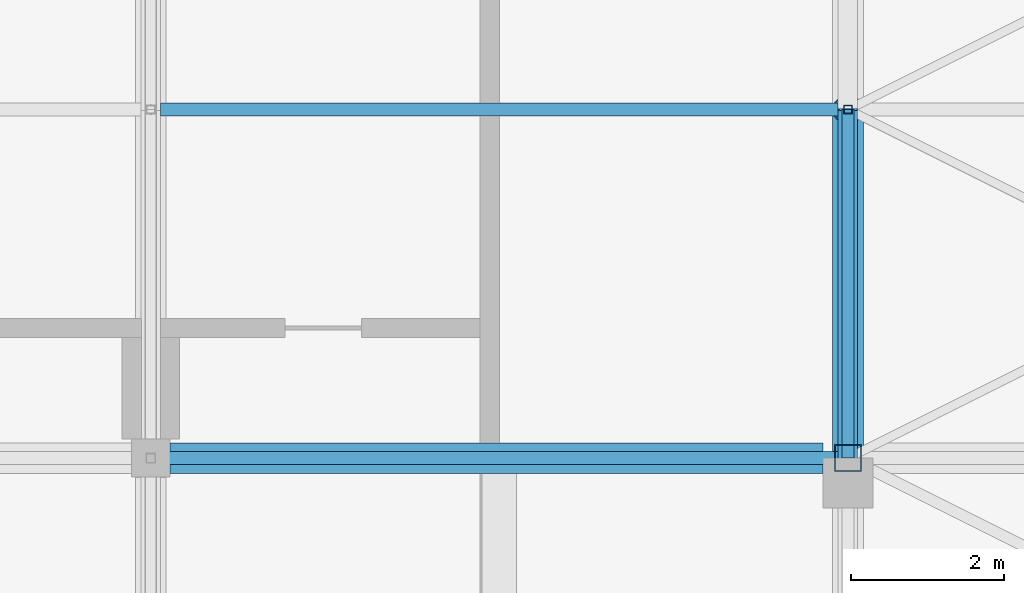
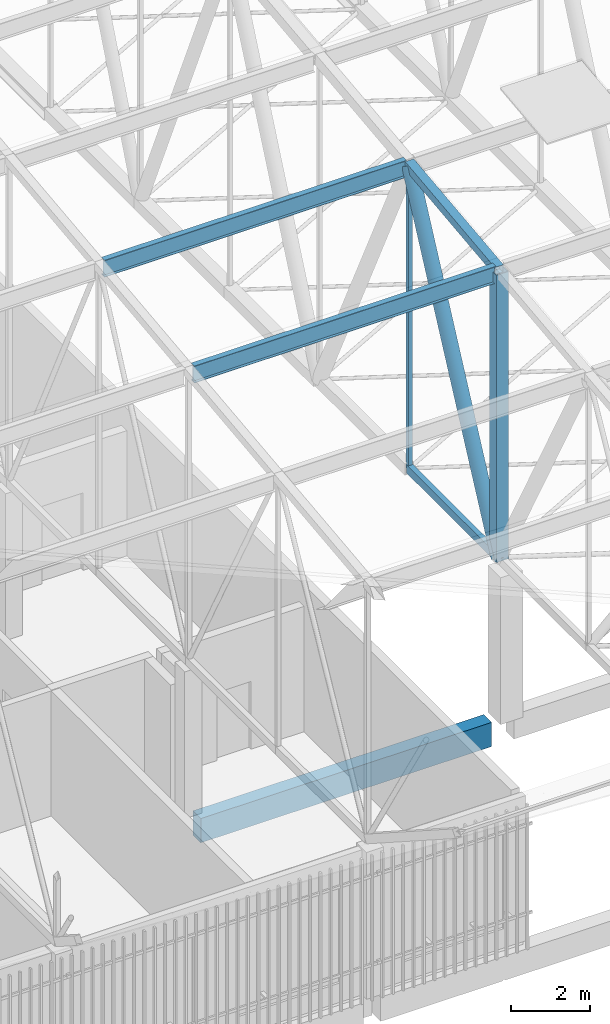
# One storey, part 45 of 500: 7 members, 1 beam.
"""IFC4 building model written with IfcOpenShell, lengths in metres."""

from ifc_helpers import new_model, si_unit, direction, frame, origin, origin_2d, place, context, subcontext, project, spatial, rectangle, hollow_rectangle, hollow_circle, i_section, extrude, material, material_profile, profile_set, type_object, element, save


model = new_model("IFC4")

# Units and contexts
model_context = context("Model", 3, precision=1e-05, world=origin(), true_north=direction((0.0, 1.0)))
body_context = subcontext(model_context, "Body", "Model", "MODEL_VIEW")
ifc_project = project(units=[si_unit("LENGTHUNIT", "METRE"), si_unit("AREAUNIT", "SQUARE_METRE"), si_unit("VOLUMEUNIT", "CUBIC_METRE"), si_unit("PLANEANGLEUNIT", "RADIAN"), si_unit("MASSUNIT", "GRAM", prefix="KILO")], contexts=[model_context])

# Site, building, storey
site_placement = place(None, origin())
site = spatial("IfcSite", under=ifc_project, at=site_placement, CompositionType="ELEMENT")
building_placement = place(site_placement, origin())
building = spatial("IfcBuilding", under=site, at=building_placement, Name="Shirokan Park Arena", CompositionType="ELEMENT")
storey_placement = place(building_placement, frame((0.0, 0.0, 29.1201171875)))
storey = spatial("IfcBuildingStorey", under=building, at=storey_placement, Name="L06", CompositionType="ELEMENT", Elevation=29.1201171875)

# Members
ifc_material_1 = material(Name="Steel ASTM A500 Grade C", Category="steel")
ifc_material_profile_1 = material_profile(ifc_material_1, hollow_rectangle(XDim=0.152099609375, YDim=0.25390625, WallThickness=0.015869140625, at=origin_2d()), Name="HSS254X152.4X15.9")
ifc_profile_set_1 = profile_set([ifc_material_profile_1], Name="Steel ASTM A500 Grade C")
member_type_1 = type_object("IfcMemberType", Name="Bottom chord HSS254X152.4X15.9", PredefinedType="CHORD", material=ifc_profile_set_1)
member_1_placement = place(storey_placement, frame((45.5, 9.10009765625, 4.677001953125), z_axis=(0.0, 1.0, 0.0), x_axis=(-1.0, 0.0, 0.0)))
element("IfcMember", 1, at=member_1_placement, inside=storey, type_object=member_type_1, Name="Truss T06 bottom chord 5", PredefinedType="CHORD", context=body_context, shape_type="SweptSolid", body=[
    extrude(hollow_rectangle(XDim=0.152099609375, YDim=0.25390625, WallThickness=0.015869140625, at=origin_2d()), origin(), (0.0, 0.0, 1.0), 4.5498046875),
])
ifc_material_2 = material(Name="Steel ASTM A992", Category="steel")
ifc_material_profile_2 = material_profile(ifc_material_2, i_section(OverallWidth=0.166015625, OverallDepth=0.528076171875, WebThickness=0.009765625, FlangeThickness=0.013671875, at=origin_2d()), Name="W530X74")
ifc_profile_set_2 = profile_set([ifc_material_profile_2], Name="Steel ASTM A992")
member_type_2 = type_object("IfcMemberType", Name="Purlin W530X74", PredefinedType="PURLIN", material=ifc_profile_set_2)
for number, where, z_axis, x_axis, name in (
    (2, (36.527099609375, 9.10009765625, 13.52587890625), (1.0, 0.0, 0.0), (0.0, 1.0, 0.0), "Purlin 5 bay 5"),
    (3, (36.527099609375, 13.64990234375, 14.0458984375), (1.0, 0.0, 0.0), (0.0, 1.0, 0.0), "Purlin 6 bay 5"),
):
    element("IfcMember", number, at=place(storey_placement, frame(where, z_axis=z_axis, x_axis=x_axis)), inside=storey, type_object=member_type_2, Name=name, PredefinedType="PURLIN", context=body_context, shape_type="SweptSolid", body=[
        extrude(i_section(OverallWidth=0.166015625, OverallDepth=0.528076171875, WebThickness=0.009765625, FlangeThickness=0.013671875, at=origin_2d()), origin(), (0.0, 0.0, 1.0), 8.845947265625),
    ])

# Beam
ifc_material_3 = material(Name="Concrete C35", Category="concrete")
ifc_material_profile_3 = material_profile(ifc_material_3, rectangle(XDim=0.39990234375, YDim=0.75, at=origin_2d()), Name="400x750")
ifc_profile_set_3 = profile_set([ifc_material_profile_3], Name="Concrete C35")
beam_type = type_object("IfcBeamType", Name="RC girder 400x750", PredefinedType="BEAM", material=ifc_profile_set_3)
beam_placement = place(storey_placement, frame((36.650146484375, 9.10009765625, -0.5751953125), z_axis=(1.0, 0.0, 0.0), x_axis=(0.0, 1.0, 0.0)))
element("IfcBeam", 4, at=beam_placement, inside=storey, type_object=beam_type, Name="Girder 5B-6B L06", PredefinedType="BEAM", context=body_context, shape_type="SweptSolid", body=[
    extrude(rectangle(XDim=0.39990234375, YDim=0.75, at=origin_2d()), origin(), (0.0, 0.0, 1.0), 8.524658203125),
])

# Members
ifc_material_profile_4 = material_profile(ifc_material_1, hollow_rectangle(XDim=0.25390625, YDim=0.25390625, WallThickness=0.009521484375, at=origin_2d()), Name="HSS254X254X9.5")
ifc_profile_set_4 = profile_set([ifc_material_profile_4], Name="Steel ASTM A500 Grade C")
member_type_3 = type_object("IfcMemberType", Name="Top chord HSS254X254X9.5", PredefinedType="CHORD", material=ifc_profile_set_4)
member_2_placement = place(storey_placement, frame((45.5, 9.10009765625, 13.581298828125), z_axis=(0.0, 0.993531641592, 0.11355561261), x_axis=(-1.0, 0.0, 0.0)))
element("IfcMember", 5, at=member_2_placement, inside=storey, type_object=member_type_3, Name="Truss T06 top chord 5", PredefinedType="CHORD", context=body_context, shape_type="SweptSolid", body=[
    extrude(hollow_rectangle(XDim=0.25390625, YDim=0.25390625, WallThickness=0.009521484375, at=origin_2d()), origin(), (0.0, 0.0, 1.0), 4.579345703125),
])
ifc_material_profile_5 = material_profile(ifc_material_1, hollow_circle(Radius=0.202880859375, WallThickness=0.015869140625, at=origin_2d()), Name="HSS406.4X15.9")
ifc_profile_set_5 = profile_set([ifc_material_profile_5], Name="Steel ASTM A500 Grade C")
member_type_4 = type_object("IfcMemberType", Name="Truss diagonal HSS406.4X15.9", PredefinedType="BRACE", material=ifc_profile_set_5)
member_3_placement = place(storey_placement, frame((45.5, 9.10009765625, 4.677001953125), z_axis=(0.0, 0.434759504242, 0.900546597057), x_axis=(-1.0, 0.0, 0.0)))
element("IfcMember", 6, at=member_3_placement, inside=storey, type_object=member_type_4, Name="Truss T06 diagonal 5", PredefinedType="BRACE", context=body_context, shape_type="SweptSolid", body=[
    extrude(hollow_circle(Radius=0.202880859375, WallThickness=0.015869140625, at=origin_2d()), origin(), (0.0, 0.0, 1.0), 10.465087890625),
])
ifc_material_profile_6 = material_profile(ifc_material_1, hollow_rectangle(XDim=0.114013671875, YDim=0.114013671875, WallThickness=0.00634765625, at=origin_2d()), Name="HSS114.3X114.3X6.4")
ifc_profile_set_6 = profile_set([ifc_material_profile_6], Name="Steel ASTM A500 Grade C")
member_type_5 = type_object("IfcMemberType", Name="Truss post HSS114.3X114.3X6.4", PredefinedType="POST", material=ifc_profile_set_6)
member_4_placement = place(storey_placement, frame((45.5, 13.64990234375, 4.677001953125), z_axis=(0.0, 0.0, 1.0), x_axis=(1.0, 0.0, 0.0)))
element("IfcMember", 7, at=member_4_placement, inside=storey, type_object=member_type_5, Name="Truss T06 post 6", PredefinedType="POST", context=body_context, shape_type="SweptSolid", body=[
    extrude(hollow_rectangle(XDim=0.114013671875, YDim=0.114013671875, WallThickness=0.00634765625, at=origin_2d()), origin(), (0.0, 0.0, 1.0), 9.42431640625),
])
ifc_material_profile_7 = material_profile(ifc_material_1, hollow_rectangle(XDim=0.35595703125, YDim=0.35595703125, WallThickness=0.015869140625, at=origin_2d()), Name="HSS355.6X355.6X15.9")
ifc_profile_set_7 = profile_set([ifc_material_profile_7], Name="Steel ASTM A500 Grade C")
member_type_6 = type_object("IfcMemberType", Name="Truss post HSS355.6X355.6X15.9", PredefinedType="POST", material=ifc_profile_set_7)
member_5_placement = place(storey_placement, frame((45.5, 9.10009765625, 4.677001953125), z_axis=(0.0, 0.0, 1.0), x_axis=(1.0, 0.0, 0.0)))
element("IfcMember", 8, at=member_5_placement, inside=storey, type_object=member_type_6, Name="Truss T06 post 5", PredefinedType="POST", context=body_context, shape_type="SweptSolid", body=[
    extrude(hollow_rectangle(XDim=0.35595703125, YDim=0.35595703125, WallThickness=0.015869140625, at=origin_2d()), origin(), (0.0, 0.0, 1.0), 8.904296875),
])

save(model, "model.ifc")
